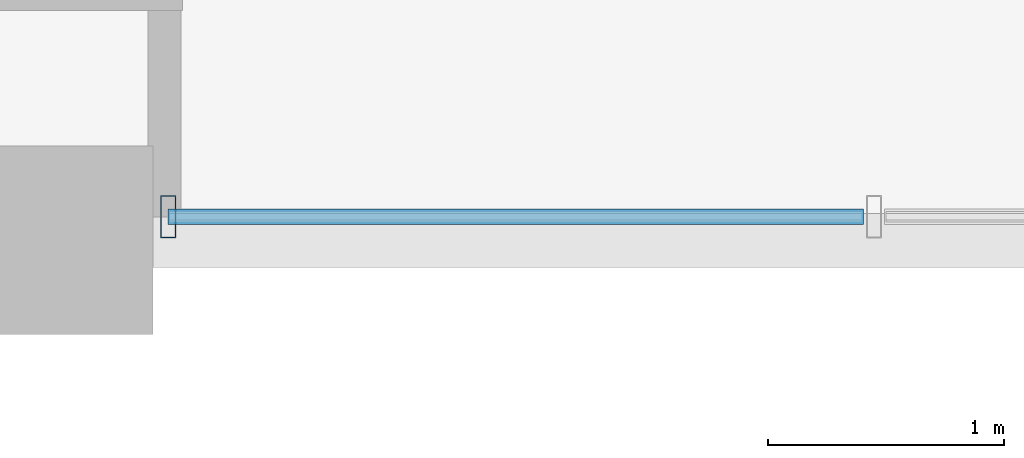
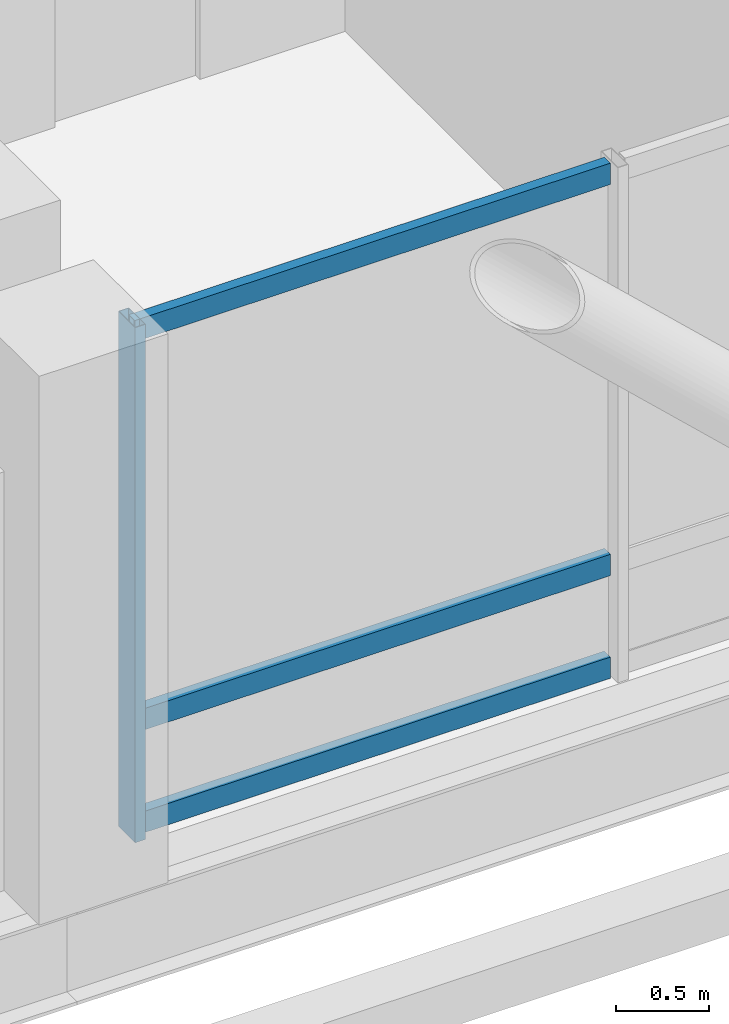
# One storey, part 2 of 26: 4 members, 1 element without a shape of its own.
"""IFC4 building model written with IfcOpenShell, lengths in metres."""

from ifc_helpers import new_model, si_unit, direction, frame, origin, origin_2d, place, context, subcontext, project, spatial, hollow_rectangle, extrude, material, layer, layer_set, material_profile, profile_set, type_object, element, aggregate, save


model = new_model("IFC4")

# Units and contexts
model_context = context("Model", 3, precision=1e-05, world=origin(), true_north=direction((0.0, 1.0)))
body_context = subcontext(model_context, "Body", "Model", "MODEL_VIEW")
ifc_project = project(units=[si_unit("LENGTHUNIT", "METRE"), si_unit("AREAUNIT", "SQUARE_METRE"), si_unit("VOLUMEUNIT", "CUBIC_METRE"), si_unit("PLANEANGLEUNIT", "RADIAN"), si_unit("MASSUNIT", "GRAM", prefix="KILO")], contexts=[model_context])

# Site, building, storey
site_placement = place(None, origin())
site = spatial("IfcSite", under=ifc_project, at=site_placement, CompositionType="ELEMENT")
building_placement = place(site_placement, origin())
building = spatial("IfcBuilding", under=site, at=building_placement, Name="Barlavira Tower and Art Museum", CompositionType="ELEMENT")
storey_placement = place(building_placement, frame((0.0, 0.0, 198.0)))
storey = spatial("IfcBuildingStorey", under=building, at=storey_placement, Name="L51", CompositionType="ELEMENT", Elevation=198.0)

# Curtain wall, members
ifc_material_1 = material(Name="Low-iron coastal laminated glass", Category="glass")
ifc_layer = layer(ifc_material_1, 0.199951171875, Name="Low-iron coastal laminated glass")
ifc_layer_set = layer_set([ifc_layer], Name="Low-iron coastal laminated glass")
curtain_wall_type = type_object("IfcCurtainWallType", Name="Pale-Metal Unitised Curtain Wall Zone 3", PredefinedType="NOTDEFINED", material=ifc_layer_set)
curtain_wall_placement = place(storey_placement, origin())
curtain_wall = element("IfcCurtainWall", 1, at=curtain_wall_placement, inside=storey, type_object=curtain_wall_type, Name="L51 Curtain Wall CW3-L51-S-B3", PredefinedType="NOTDEFINED")
ifc_material_2 = material(Name="Pale anodised aluminium", Category="aluminium")
ifc_material_profile_1 = material_profile(ifc_material_2, hollow_rectangle(XDim=0.06494140625, YDim=0.179931640625, WallThickness=0.00390625, at=origin_2d()), Name="ALU-MULL 65x180x4")
ifc_profile_set_1 = profile_set([ifc_material_profile_1], Name="Pale anodised aluminium")
member_type_1 = type_object("IfcMemberType", Name="Curtain Wall Pale-Metal Mullion 65x180", PredefinedType="MULLION", material=ifc_profile_set_1)
member_1_placement = place(storey_placement, frame((-6.034912109375, -21.39990234375, 0.0), z_axis=(0.0, 0.0, 1.0), x_axis=(1.0, 0.0, 0.0)))
member_1 = element("IfcMember", 2, at=member_1_placement, type_object=member_type_1, Name="CW3-L51-S-B3 Mullion 0", PredefinedType="MULLION", context=body_context, shape_type="SweptSolid", body=[
    extrude(hollow_rectangle(XDim=0.06494140625, YDim=0.179931640625, WallThickness=0.00390625, at=origin_2d()), origin(), (0.0, 0.0, 1.0), 3.3798828125),
])
ifc_material_profile_2 = material_profile(ifc_material_2, hollow_rectangle(XDim=0.06494140625, YDim=0.139892578125, WallThickness=0.00390625, at=origin_2d()), Name="ALU-TRAN 65x140x4")
ifc_profile_set_2 = profile_set([ifc_material_profile_2], Name="Pale anodised aluminium")
member_type_2 = type_object("IfcMemberType", Name="Curtain Wall Pale-Metal Transom 65x140", PredefinedType="USERDEFINED", material=ifc_profile_set_2)
member_2_placement = place(storey_placement, frame((-6.034912109375, -21.39990234375, 0.070068359375), z_axis=(1.0, 0.0, 0.0), x_axis=(0.0, 1.0, 0.0)))
member_2 = element("IfcMember", 3, at=member_2_placement, type_object=member_type_2, Name="CW3-L51-S-B3 Transom 0.1", ObjectType="TRANSOM", PredefinedType="USERDEFINED", context=body_context, shape_type="SweptSolid", body=[
    extrude(hollow_rectangle(XDim=0.06494140625, YDim=0.139892578125, WallThickness=0.00390625, at=origin_2d()), origin(), (0.0, 0.0, 1.0), 2.949951171875),
])
member_3_placement = place(storey_placement, frame((-6.034912109375, -21.39990234375, 0.743896484375), z_axis=(1.0, 0.0, 0.0), x_axis=(0.0, 1.0, 0.0)))
member_3 = element("IfcMember", 4, at=member_3_placement, type_object=member_type_2, Name="CW3-L51-S-B3 Transom 0.2", ObjectType="TRANSOM", PredefinedType="USERDEFINED", context=body_context, shape_type="SweptSolid", body=[
    extrude(hollow_rectangle(XDim=0.06494140625, YDim=0.139892578125, WallThickness=0.00390625, at=origin_2d()), origin(), (0.0, 0.0, 1.0), 2.949951171875),
])
member_4_placement = place(storey_placement, frame((-6.034912109375, -21.39990234375, 3.31005859375), z_axis=(1.0, 0.0, 0.0), x_axis=(0.0, 1.0, 0.0)))
member_4 = element("IfcMember", 5, at=member_4_placement, type_object=member_type_2, Name="CW3-L51-S-B3 Transom 0.3", ObjectType="TRANSOM", PredefinedType="USERDEFINED", context=body_context, shape_type="SweptSolid", body=[
    extrude(hollow_rectangle(XDim=0.06494140625, YDim=0.139892578125, WallThickness=0.00390625, at=origin_2d()), origin(), (0.0, 0.0, 1.0), 2.949951171875),
])
aggregate(curtain_wall, [member_1, member_2, member_3, member_4])

save(model, "model.ifc")
